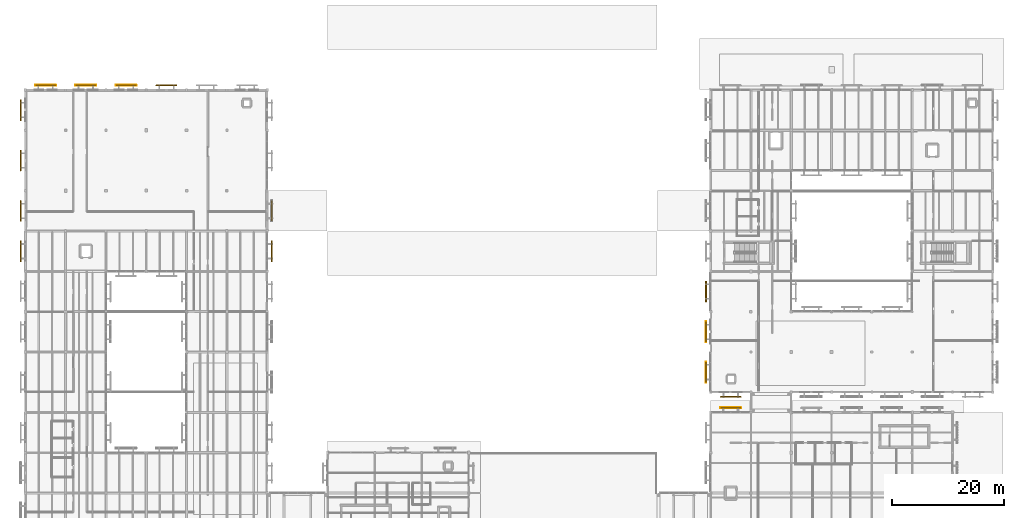
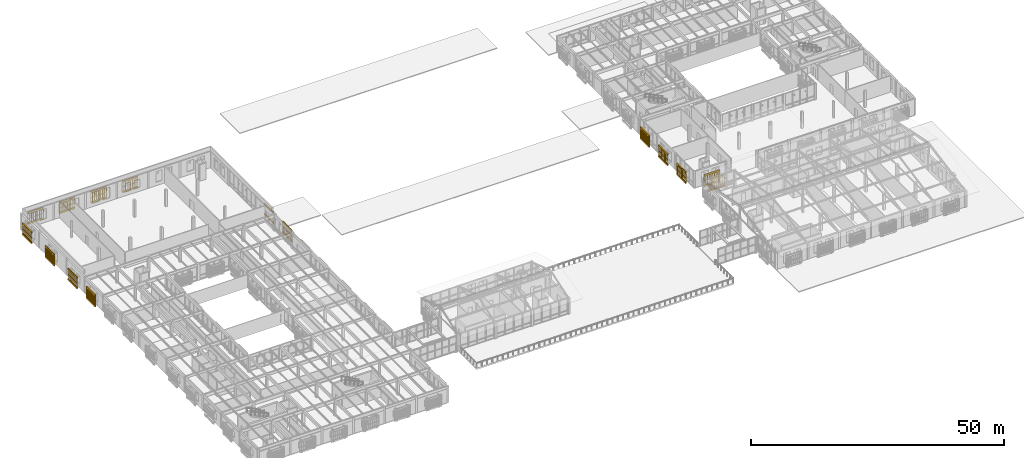
# One storey, part 103 of 112: 30 coverings, 28 railings.
"""IFC4 building model written with IfcOpenShell, lengths in metres."""

from ifc_helpers import new_model, si_unit, direction, frame, origin, origin_2d, place, context, subcontext, project, spatial, polyline, circle, outline, extrude, material, layer, layer_set, type_object, element, save


model = new_model("IFC4")

# Units and contexts
model_context = context("Model", 3, precision=1e-05, world=origin(), true_north=direction((0.0, 1.0)))
body_context = subcontext(model_context, "Body", "Model", "MODEL_VIEW")
ifc_project = project(units=[si_unit("LENGTHUNIT", "METRE"), si_unit("AREAUNIT", "SQUARE_METRE"), si_unit("VOLUMEUNIT", "CUBIC_METRE"), si_unit("PLANEANGLEUNIT", "RADIAN"), si_unit("MASSUNIT", "GRAM", prefix="KILO")], contexts=[model_context])

# Site, building, storey
site_placement = place(None, origin())
site = spatial("IfcSite", under=ifc_project, at=site_placement, CompositionType="ELEMENT")
building_placement = place(site_placement, origin())
building = spatial("IfcBuilding", under=site, at=building_placement, Name="Mazaris Harbour Polytechnic", CompositionType="ELEMENT")
storey_placement = place(building_placement, frame((0.0, 0.0, 13.800048828125)))
storey = spatial("IfcBuildingStorey", under=building, at=storey_placement, Name="L03", CompositionType="ELEMENT", Elevation=13.800048828125)

# Railings
ifc_material_1 = material(Name="Perforated Earth-Coloured Terracotta Block", Category="masonry")
railing_type = type_object("IfcRailingType", Name="Perforated Earth-Block Claustra Lattice 1040", PredefinedType="BALUSTRADE", material=ifc_material_1)
for number, where, name in (
    (1, (124.18505859375, 44.02001953125, 0.52001953125), "V2 L03 Lower Perforated Terracotta Block Screen 95"),
    (2, (124.18505859375, 44.02001953125, 1.60986328125), "V2 L03 Upper Perforated Terracotta Block Screen 95"),
    (3, (1.830078125, 101.6201171875, 0.52001953125), "V4 L03 Lower Perforated Terracotta Block Screen 253"),
    (4, (1.830078125, 101.6201171875, 1.60986328125), "V4 L03 Upper Perforated Terracotta Block Screen 253"),
    (5, (8.9951171875, 101.6201171875, 0.52001953125), "V4 L03 Lower Perforated Terracotta Block Screen 254"),
    (6, (8.9951171875, 101.6201171875, 1.60986328125), "V4 L03 Upper Perforated Terracotta Block Screen 254"),
    (7, (16.215087890625, 101.6201171875, 0.52001953125), "V4 L03 Lower Perforated Terracotta Block Screen 255"),
    (8, (16.215087890625, 101.6201171875, 1.60986328125), "V4 L03 Upper Perforated Terracotta Block Screen 255"),
):
    element("IfcRailing", number, at=place(storey_placement, frame(where)), inside=storey, type_object=railing_type, Name=name, PredefinedType="BALUSTRADE", context=body_context, shape_type="SweptSolid", body=[
        extrude(circle(Radius=0.06982421875, at=origin_2d()), frame((0.0, 0.0, 1.02001953125), z_axis=(1.0, 0.0, 0.0), x_axis=(0.0, 1.0, 0.0)), (0.0, 0.0, 1.0), 3.599853515625),
        extrude(circle(Radius=0.074951171875, at=origin_2d()), origin(), (0.0, 0.0, 1.0), 0.9501953125),
        extrude(circle(Radius=0.074951171875, at=origin_2d()), frame((0.449951171875, 0.0, 0.0)), (0.0, 0.0, 1.0), 0.9501953125),
        extrude(circle(Radius=0.074951171875, at=origin_2d()), frame((0.89990234375, 0.0, 0.0)), (0.0, 0.0, 1.0), 0.9501953125),
        extrude(circle(Radius=0.074951171875, at=origin_2d()), frame((1.349853515625, 0.0, 0.0)), (0.0, 0.0, 1.0), 0.9501953125),
        extrude(circle(Radius=0.074951171875, at=origin_2d()), frame((1.7998046875, 0.0, 0.0)), (0.0, 0.0, 1.0), 0.9501953125),
        extrude(circle(Radius=0.074951171875, at=origin_2d()), frame((2.25, 0.0, 0.0)), (0.0, 0.0, 1.0), 0.9501953125),
        extrude(circle(Radius=0.074951171875, at=origin_2d()), frame((2.699951171875, 0.0, 0.0)), (0.0, 0.0, 1.0), 0.9501953125),
        extrude(circle(Radius=0.074951171875, at=origin_2d()), frame((3.14990234375, 0.0, 0.0)), (0.0, 0.0, 1.0), 0.9501953125),
        extrude(circle(Radius=0.074951171875, at=origin_2d()), frame((3.599853515625, 0.0, 0.0)), (0.0, 0.0, 1.0), 0.9501953125),
    ])
for number, where, name in (
    (9, (23.39501953125, 101.6201171875, 0.52001953125), "V4 L03 Lower Perforated Terracotta Block Screen 256"),
    (10, (23.39501953125, 101.6201171875, 1.60986328125), "V4 L03 Upper Perforated Terracotta Block Screen 256"),
):
    element("IfcRailing", number, at=place(storey_placement, frame(where)), inside=storey, type_object=railing_type, Name=name, PredefinedType="BALUSTRADE", context=body_context, shape_type="SweptSolid", body=[
        extrude(circle(Radius=0.06982421875, at=origin_2d()), frame((0.0, 0.0, 1.02001953125), z_axis=(1.0, 0.0, 0.0), x_axis=(0.0, 1.0, 0.0)), (0.0, 0.0, 1.0), 3.60009765625),
        extrude(circle(Radius=0.074951171875, at=origin_2d()), origin(), (0.0, 0.0, 1.0), 0.9501953125),
        extrude(circle(Radius=0.074951171875, at=origin_2d()), frame((0.39990234375, 0.0, 0.0)), (0.0, 0.0, 1.0), 0.9501953125),
        extrude(circle(Radius=0.074951171875, at=origin_2d()), frame((0.800048828125, 0.0, 0.0)), (0.0, 0.0, 1.0), 0.9501953125),
        extrude(circle(Radius=0.074951171875, at=origin_2d()), frame((1.199951171875, 0.0, 0.0)), (0.0, 0.0, 1.0), 0.9501953125),
        extrude(circle(Radius=0.074951171875, at=origin_2d()), frame((1.60009765625, 0.0, 0.0)), (0.0, 0.0, 1.0), 0.9501953125),
        extrude(circle(Radius=0.074951171875, at=origin_2d()), frame((2.0, 0.0, 0.0)), (0.0, 0.0, 1.0), 0.9501953125),
        extrude(circle(Radius=0.074951171875, at=origin_2d()), frame((2.400146484375, 0.0, 0.0)), (0.0, 0.0, 1.0), 0.9501953125),
        extrude(circle(Radius=0.074951171875, at=origin_2d()), frame((2.800048828125, 0.0, 0.0)), (0.0, 0.0, 1.0), 0.9501953125),
        extrude(circle(Radius=0.074951171875, at=origin_2d()), frame((3.2001953125, 0.0, 0.0)), (0.0, 0.0, 1.0), 0.9501953125),
        extrude(circle(Radius=0.074951171875, at=origin_2d()), frame((3.60009765625, 0.0, 0.0)), (0.0, 0.0, 1.0), 0.9501953125),
    ])
for number, where, name in (
    (11, (-0.820068359375, 70.18994140625, 0.52001953125), "V4 L03 Lower Perforated Terracotta Block Screen 267"),
    (12, (-0.820068359375, 70.18994140625, 1.60986328125), "V4 L03 Upper Perforated Terracotta Block Screen 267"),
    (13, (-0.820068359375, 77.389892578125, 0.52001953125), "V4 L03 Lower Perforated Terracotta Block Screen 268"),
    (14, (-0.820068359375, 77.389892578125, 1.60986328125), "V4 L03 Upper Perforated Terracotta Block Screen 268"),
    (15, (-0.820068359375, 86.389892578125, 0.52001953125), "V4 L03 Lower Perforated Terracotta Block Screen 269"),
    (16, (-0.820068359375, 86.389892578125, 1.60986328125), "V4 L03 Upper Perforated Terracotta Block Screen 269"),
    (17, (-0.820068359375, 95.389892578125, 0.52001953125), "V4 L03 Lower Perforated Terracotta Block Screen 270"),
    (18, (-0.820068359375, 95.389892578125, 1.60986328125), "V4 L03 Upper Perforated Terracotta Block Screen 270"),
):
    element("IfcRailing", number, at=place(storey_placement, frame(where)), inside=storey, type_object=railing_type, Name=name, PredefinedType="BALUSTRADE", context=body_context, shape_type="SweptSolid", body=[
        extrude(circle(Radius=0.06982421875, at=origin_2d()), frame((0.0, 0.0, 1.02001953125), z_axis=(0.0, 1.0, 0.0), x_axis=(-1.0, 0.0, 0.0)), (0.0, 0.0, 1.0), 3.60009765625),
        extrude(circle(Radius=0.074951171875, at=origin_2d()), origin(), (0.0, 0.0, 1.0), 0.9501953125),
        extrude(circle(Radius=0.074951171875, at=origin_2d()), frame((0.0, 0.39990234375, 0.0)), (0.0, 0.0, 1.0), 0.9501953125),
        extrude(circle(Radius=0.074951171875, at=origin_2d()), frame((0.0, 0.800048828125, 0.0)), (0.0, 0.0, 1.0), 0.9501953125),
        extrude(circle(Radius=0.074951171875, at=origin_2d()), frame((0.0, 1.199951171875, 0.0)), (0.0, 0.0, 1.0), 0.9501953125),
        extrude(circle(Radius=0.074951171875, at=origin_2d()), frame((0.0, 1.60009765625, 0.0)), (0.0, 0.0, 1.0), 0.9501953125),
        extrude(circle(Radius=0.074951171875, at=origin_2d()), frame((0.0, 2.0, 0.0)), (0.0, 0.0, 1.0), 0.9501953125),
        extrude(circle(Radius=0.074951171875, at=origin_2d()), frame((0.0, 2.400146484375, 0.0)), (0.0, 0.0, 1.0), 0.9501953125),
        extrude(circle(Radius=0.074951171875, at=origin_2d()), frame((0.0, 2.800048828125, 0.0)), (0.0, 0.0, 1.0), 0.9501953125),
        extrude(circle(Radius=0.074951171875, at=origin_2d()), frame((0.0, 3.2001953125, 0.0)), (0.0, 0.0, 1.0), 0.9501953125),
        extrude(circle(Radius=0.074951171875, at=origin_2d()), frame((0.0, 3.60009765625, 0.0)), (0.0, 0.0, 1.0), 0.9501953125),
    ])
for number, where, name in (
    (19, (44.02001953125, 73.7900390625, 0.52001953125), "V4 L03 Lower Perforated Terracotta Block Screen 278"),
    (20, (44.02001953125, 73.7900390625, 1.60986328125), "V4 L03 Upper Perforated Terracotta Block Screen 278"),
):
    element("IfcRailing", number, at=place(storey_placement, frame(where)), inside=storey, type_object=railing_type, Name=name, PredefinedType="BALUSTRADE", context=body_context, shape_type="SweptSolid", body=[
        extrude(circle(Radius=0.06982421875, at=origin_2d()), frame((0.0, 0.0, 1.02001953125), z_axis=(0.0, -1.0, 0.0), x_axis=(1.0, 0.0, 0.0)), (0.0, 0.0, 1.0), 3.60009765625),
        extrude(circle(Radius=0.074951171875, at=origin_2d()), origin(), (0.0, 0.0, 1.0), 0.9501953125),
        extrude(circle(Radius=0.074951171875, at=origin_2d()), frame((0.0, -0.39990234375, 0.0)), (0.0, 0.0, 1.0), 0.9501953125),
        extrude(circle(Radius=0.074951171875, at=origin_2d()), frame((0.0, -0.800048828125, 0.0)), (0.0, 0.0, 1.0), 0.9501953125),
        extrude(circle(Radius=0.074951171875, at=origin_2d()), frame((0.0, -1.199951171875, 0.0)), (0.0, 0.0, 1.0), 0.9501953125),
        extrude(circle(Radius=0.074951171875, at=origin_2d()), frame((0.0, -1.60009765625, 0.0)), (0.0, 0.0, 1.0), 0.9501953125),
        extrude(circle(Radius=0.074951171875, at=origin_2d()), frame((0.0, -2.0, 0.0)), (0.0, 0.0, 1.0), 0.9501953125),
        extrude(circle(Radius=0.074951171875, at=origin_2d()), frame((0.0, -2.400146484375, 0.0)), (0.0, 0.0, 1.0), 0.9501953125),
        extrude(circle(Radius=0.074951171875, at=origin_2d()), frame((0.0, -2.800048828125, 0.0)), (0.0, 0.0, 1.0), 0.9501953125),
        extrude(circle(Radius=0.074951171875, at=origin_2d()), frame((0.0, -3.2001953125, 0.0)), (0.0, 0.0, 1.0), 0.9501953125),
        extrude(circle(Radius=0.074951171875, at=origin_2d()), frame((0.0, -3.60009765625, 0.0)), (0.0, 0.0, 1.0), 0.9501953125),
    ])
for number, where, name in (
    (21, (127.7900390625, 45.97998046875, 0.52001953125), "V5 L03 Lower Perforated Terracotta Block Screen 446"),
    (22, (127.7900390625, 45.97998046875, 1.60986328125), "V5 L03 Upper Perforated Terracotta Block Screen 446"),
):
    element("IfcRailing", number, at=place(storey_placement, frame(where)), inside=storey, type_object=railing_type, Name=name, PredefinedType="BALUSTRADE", context=body_context, shape_type="SweptSolid", body=[
        extrude(circle(Radius=0.06982421875, at=origin_2d()), frame((0.0, 0.0, 1.02001953125), z_axis=(-1.0, 0.0, 0.0), x_axis=(0.0, -1.0, 0.0)), (0.0, 0.0, 1.0), 3.60009765625),
        extrude(circle(Radius=0.074951171875, at=origin_2d()), origin(), (0.0, 0.0, 1.0), 0.9501953125),
        extrude(circle(Radius=0.074951171875, at=origin_2d()), frame((-0.39990234375, 0.0, 0.0)), (0.0, 0.0, 1.0), 0.9501953125),
        extrude(circle(Radius=0.074951171875, at=origin_2d()), frame((-0.800048828125, 0.0, 0.0)), (0.0, 0.0, 1.0), 0.9501953125),
        extrude(circle(Radius=0.074951171875, at=origin_2d()), frame((-1.199951171875, 0.0, 0.0)), (0.0, 0.0, 1.0), 0.9501953125),
        extrude(circle(Radius=0.074951171875, at=origin_2d()), frame((-1.60009765625, 0.0, 0.0)), (0.0, 0.0, 1.0), 0.9501953125),
        extrude(circle(Radius=0.074951171875, at=origin_2d()), frame((-2.0, 0.0, 0.0)), (0.0, 0.0, 1.0), 0.9501953125),
        extrude(circle(Radius=0.074951171875, at=origin_2d()), frame((-2.400146484375, 0.0, 0.0)), (0.0, 0.0, 1.0), 0.9501953125),
        extrude(circle(Radius=0.074951171875, at=origin_2d()), frame((-2.800048828125, 0.0, 0.0)), (0.0, 0.0, 1.0), 0.9501953125),
        extrude(circle(Radius=0.074951171875, at=origin_2d()), frame((-3.2001953125, 0.0, 0.0)), (0.0, 0.0, 1.0), 0.9501953125),
        extrude(circle(Radius=0.074951171875, at=origin_2d()), frame((-3.60009765625, 0.0, 0.0)), (0.0, 0.0, 1.0), 0.9501953125),
    ])
for number, where, name in (
    (23, (121.580078125, 48.590087890625, 0.52001953125), "V5 L03 Lower Perforated Terracotta Block Screen 459"),
    (24, (121.580078125, 48.590087890625, 1.60986328125), "V5 L03 Upper Perforated Terracotta Block Screen 459"),
    (25, (121.580078125, 55.7900390625, 0.52001953125), "V5 L03 Lower Perforated Terracotta Block Screen 460"),
    (26, (121.580078125, 55.7900390625, 1.60986328125), "V5 L03 Upper Perforated Terracotta Block Screen 460"),
):
    element("IfcRailing", number, at=place(storey_placement, frame(where)), inside=storey, type_object=railing_type, Name=name, PredefinedType="BALUSTRADE", context=body_context, shape_type="SweptSolid", body=[
        extrude(circle(Radius=0.06982421875, at=origin_2d()), frame((0.0, 0.0, 1.02001953125), z_axis=(0.0, 1.0, 0.0), x_axis=(-1.0, 0.0, 0.0)), (0.0, 0.0, 1.0), 3.599853515625),
        extrude(circle(Radius=0.074951171875, at=origin_2d()), origin(), (0.0, 0.0, 1.0), 0.9501953125),
        extrude(circle(Radius=0.074951171875, at=origin_2d()), frame((0.0, 0.449951171875, 0.0)), (0.0, 0.0, 1.0), 0.9501953125),
        extrude(circle(Radius=0.074951171875, at=origin_2d()), frame((0.0, 0.89990234375, 0.0)), (0.0, 0.0, 1.0), 0.9501953125),
        extrude(circle(Radius=0.074951171875, at=origin_2d()), frame((0.0, 1.349853515625, 0.0)), (0.0, 0.0, 1.0), 0.9501953125),
        extrude(circle(Radius=0.074951171875, at=origin_2d()), frame((0.0, 1.7998046875, 0.0)), (0.0, 0.0, 1.0), 0.9501953125),
        extrude(circle(Radius=0.074951171875, at=origin_2d()), frame((0.0, 2.25, 0.0)), (0.0, 0.0, 1.0), 0.9501953125),
        extrude(circle(Radius=0.074951171875, at=origin_2d()), frame((0.0, 2.699951171875, 0.0)), (0.0, 0.0, 1.0), 0.9501953125),
        extrude(circle(Radius=0.074951171875, at=origin_2d()), frame((0.0, 3.14990234375, 0.0)), (0.0, 0.0, 1.0), 0.9501953125),
        extrude(circle(Radius=0.074951171875, at=origin_2d()), frame((0.0, 3.599853515625, 0.0)), (0.0, 0.0, 1.0), 0.9501953125),
    ])
for number, where, name in (
    (27, (121.580078125, 62.989990234375, 0.52001953125), "V5 L03 Lower Perforated Terracotta Block Screen 461"),
    (28, (121.580078125, 62.989990234375, 1.60986328125), "V5 L03 Upper Perforated Terracotta Block Screen 461"),
):
    element("IfcRailing", number, at=place(storey_placement, frame(where)), inside=storey, type_object=railing_type, Name=name, PredefinedType="BALUSTRADE", context=body_context, shape_type="SweptSolid", body=[
        extrude(circle(Radius=0.06982421875, at=origin_2d()), frame((0.0, 0.0, 1.02001953125), z_axis=(0.0, 1.0, 0.0), x_axis=(-1.0, 0.0, 0.0)), (0.0, 0.0, 1.0), 3.60009765625),
        extrude(circle(Radius=0.074951171875, at=origin_2d()), origin(), (0.0, 0.0, 1.0), 0.9501953125),
        extrude(circle(Radius=0.074951171875, at=origin_2d()), frame((0.0, 0.39990234375, 0.0)), (0.0, 0.0, 1.0), 0.9501953125),
        extrude(circle(Radius=0.074951171875, at=origin_2d()), frame((0.0, 0.800048828125, 0.0)), (0.0, 0.0, 1.0), 0.9501953125),
        extrude(circle(Radius=0.074951171875, at=origin_2d()), frame((0.0, 1.199951171875, 0.0)), (0.0, 0.0, 1.0), 0.9501953125),
        extrude(circle(Radius=0.074951171875, at=origin_2d()), frame((0.0, 1.60009765625, 0.0)), (0.0, 0.0, 1.0), 0.9501953125),
        extrude(circle(Radius=0.074951171875, at=origin_2d()), frame((0.0, 2.0, 0.0)), (0.0, 0.0, 1.0), 0.9501953125),
        extrude(circle(Radius=0.074951171875, at=origin_2d()), frame((0.0, 2.400146484375, 0.0)), (0.0, 0.0, 1.0), 0.9501953125),
        extrude(circle(Radius=0.074951171875, at=origin_2d()), frame((0.0, 2.800048828125, 0.0)), (0.0, 0.0, 1.0), 0.9501953125),
        extrude(circle(Radius=0.074951171875, at=origin_2d()), frame((0.0, 3.2001953125, 0.0)), (0.0, 0.0, 1.0), 0.9501953125),
        extrude(circle(Radius=0.074951171875, at=origin_2d()), frame((0.0, 3.60009765625, 0.0)), (0.0, 0.0, 1.0), 0.9501953125),
    ])

# Coverings
ifc_material_2 = material(Name="Perforated Earth-Coloured Terracotta Block", Category="masonry")
ifc_layer = layer(ifc_material_2, 0.219970703125, Name="Perforated Earth-Coloured Terracotta Block")
ifc_layer_set = layer_set([ifc_layer], Name="Perforated Earth-Coloured Terracotta Block")
covering_type = type_object("IfcCoveringType", Name="Terracotta Screen Course Cladding 220", PredefinedType="CLADDING", material=ifc_layer_set)
covering_1_placement = place(storey_placement, frame((0.0, 0.0, 0.159912109375)))
element("IfcCovering", 29, at=covering_1_placement, inside=storey, type_object=covering_type, Name="V2 L03 Perforated Screen Sill Course 95", PredefinedType="CLADDING", context=body_context, shape_type="SweptSolid", body=[
    extrude(outline(polyline([(124.18505859375, 43.909912109375), (127.784912109375, 43.909912109375), (127.784912109375, 44.1298828125), (124.18505859375, 44.1298828125), (124.18505859375, 43.909912109375)])), origin(), (0.0, 0.0, 1.0), 0.360107421875),
])
covering_2_placement = place(storey_placement, frame((0.0, 0.0, 2.699951171875)))
element("IfcCovering", 30, at=covering_2_placement, inside=storey, type_object=covering_type, Name="V2 L03 Perforated Screen Lintel Course 95", PredefinedType="CLADDING", context=body_context, shape_type="SweptSolid", body=[
    extrude(outline(polyline([(124.18505859375, 43.909912109375), (127.784912109375, 43.909912109375), (127.784912109375, 44.1298828125), (124.18505859375, 44.1298828125), (124.18505859375, 43.909912109375)])), origin(), (0.0, 0.0, 1.0), 0.340087890625),
])
covering_3_placement = place(storey_placement, frame((0.0, 0.0, 0.159912109375)))
element("IfcCovering", 31, at=covering_3_placement, inside=storey, type_object=covering_type, Name="V4 L03 Perforated Screen Sill Course 253", PredefinedType="CLADDING", context=body_context, shape_type="SweptSolid", body=[
    extrude(outline(polyline([(1.830078125, 101.510009765625), (5.429931640625, 101.510009765625), (5.429931640625, 101.72998046875), (1.830078125, 101.72998046875), (1.830078125, 101.510009765625)])), origin(), (0.0, 0.0, 1.0), 0.360107421875),
])
covering_4_placement = place(storey_placement, frame((0.0, 0.0, 2.699951171875)))
element("IfcCovering", 32, at=covering_4_placement, inside=storey, type_object=covering_type, Name="V4 L03 Perforated Screen Lintel Course 253", PredefinedType="CLADDING", context=body_context, shape_type="SweptSolid", body=[
    extrude(outline(polyline([(1.830078125, 101.510009765625), (5.429931640625, 101.510009765625), (5.429931640625, 101.72998046875), (1.830078125, 101.72998046875), (1.830078125, 101.510009765625)])), origin(), (0.0, 0.0, 1.0), 0.340087890625),
])
covering_5_placement = place(storey_placement, frame((0.0, 0.0, 0.159912109375)))
element("IfcCovering", 33, at=covering_5_placement, inside=storey, type_object=covering_type, Name="V4 L03 Perforated Screen Sill Course 254", PredefinedType="CLADDING", context=body_context, shape_type="SweptSolid", body=[
    extrude(outline(polyline([(8.9951171875, 101.510009765625), (12.594970703125, 101.510009765625), (12.594970703125, 101.72998046875), (8.9951171875, 101.72998046875), (8.9951171875, 101.510009765625)])), origin(), (0.0, 0.0, 1.0), 0.360107421875),
])
covering_6_placement = place(storey_placement, frame((0.0, 0.0, 2.699951171875)))
element("IfcCovering", 34, at=covering_6_placement, inside=storey, type_object=covering_type, Name="V4 L03 Perforated Screen Lintel Course 254", PredefinedType="CLADDING", context=body_context, shape_type="SweptSolid", body=[
    extrude(outline(polyline([(8.9951171875, 101.510009765625), (12.594970703125, 101.510009765625), (12.594970703125, 101.72998046875), (8.9951171875, 101.72998046875), (8.9951171875, 101.510009765625)])), origin(), (0.0, 0.0, 1.0), 0.340087890625),
])
covering_7_placement = place(storey_placement, frame((0.0, 0.0, 0.159912109375)))
element("IfcCovering", 35, at=covering_7_placement, inside=storey, type_object=covering_type, Name="V4 L03 Perforated Screen Sill Course 255", PredefinedType="CLADDING", context=body_context, shape_type="SweptSolid", body=[
    extrude(outline(polyline([(16.215087890625, 101.510009765625), (19.81494140625, 101.510009765625), (19.81494140625, 101.72998046875), (16.215087890625, 101.72998046875), (16.215087890625, 101.510009765625)])), origin(), (0.0, 0.0, 1.0), 0.360107421875),
])
covering_8_placement = place(storey_placement, frame((0.0, 0.0, 2.699951171875)))
element("IfcCovering", 36, at=covering_8_placement, inside=storey, type_object=covering_type, Name="V4 L03 Perforated Screen Lintel Course 255", PredefinedType="CLADDING", context=body_context, shape_type="SweptSolid", body=[
    extrude(outline(polyline([(16.215087890625, 101.510009765625), (19.81494140625, 101.510009765625), (19.81494140625, 101.72998046875), (16.215087890625, 101.72998046875), (16.215087890625, 101.510009765625)])), origin(), (0.0, 0.0, 1.0), 0.340087890625),
])
covering_9_placement = place(storey_placement, frame((0.0, 0.0, 0.159912109375)))
element("IfcCovering", 37, at=covering_9_placement, inside=storey, type_object=covering_type, Name="V4 L03 Perforated Screen Sill Course 256", PredefinedType="CLADDING", context=body_context, shape_type="SweptSolid", body=[
    extrude(outline(polyline([(23.39501953125, 101.510009765625), (26.9951171875, 101.510009765625), (26.9951171875, 101.72998046875), (23.39501953125, 101.72998046875), (23.39501953125, 101.510009765625)])), origin(), (0.0, 0.0, 1.0), 0.360107421875),
])
covering_10_placement = place(storey_placement, frame((0.0, 0.0, 2.699951171875)))
element("IfcCovering", 38, at=covering_10_placement, inside=storey, type_object=covering_type, Name="V4 L03 Perforated Screen Lintel Course 256", PredefinedType="CLADDING", context=body_context, shape_type="SweptSolid", body=[
    extrude(outline(polyline([(23.39501953125, 101.510009765625), (26.9951171875, 101.510009765625), (26.9951171875, 101.72998046875), (23.39501953125, 101.72998046875), (23.39501953125, 101.510009765625)])), origin(), (0.0, 0.0, 1.0), 0.340087890625),
])
covering_11_placement = place(storey_placement, frame((0.0, 0.0, 0.159912109375)))
element("IfcCovering", 39, at=covering_11_placement, inside=storey, type_object=covering_type, Name="V4 L03 Perforated Screen Sill Course 267", PredefinedType="CLADDING", context=body_context, shape_type="SweptSolid", body=[
    extrude(outline(polyline([(-0.7099609375, 70.18994140625), (-0.7099609375, 73.7900390625), (-0.929931640625, 73.7900390625), (-0.929931640625, 70.18994140625), (-0.7099609375, 70.18994140625)])), origin(), (0.0, 0.0, 1.0), 0.360107421875),
])
covering_12_placement = place(storey_placement, frame((0.0, 0.0, 2.699951171875)))
element("IfcCovering", 40, at=covering_12_placement, inside=storey, type_object=covering_type, Name="V4 L03 Perforated Screen Lintel Course 267", PredefinedType="CLADDING", context=body_context, shape_type="SweptSolid", body=[
    extrude(outline(polyline([(-0.7099609375, 70.18994140625), (-0.7099609375, 73.7900390625), (-0.929931640625, 73.7900390625), (-0.929931640625, 70.18994140625), (-0.7099609375, 70.18994140625)])), origin(), (0.0, 0.0, 1.0), 0.340087890625),
])
covering_13_placement = place(storey_placement, frame((0.0, 0.0, 0.159912109375)))
element("IfcCovering", 41, at=covering_13_placement, inside=storey, type_object=covering_type, Name="V4 L03 Perforated Screen Sill Course 268", PredefinedType="CLADDING", context=body_context, shape_type="SweptSolid", body=[
    extrude(outline(polyline([(-0.7099609375, 77.389892578125), (-0.7099609375, 80.989990234375), (-0.929931640625, 80.989990234375), (-0.929931640625, 77.389892578125), (-0.7099609375, 77.389892578125)])), origin(), (0.0, 0.0, 1.0), 0.360107421875),
])
covering_14_placement = place(storey_placement, frame((0.0, 0.0, 2.699951171875)))
element("IfcCovering", 42, at=covering_14_placement, inside=storey, type_object=covering_type, Name="V4 L03 Perforated Screen Lintel Course 268", PredefinedType="CLADDING", context=body_context, shape_type="SweptSolid", body=[
    extrude(outline(polyline([(-0.7099609375, 77.389892578125), (-0.7099609375, 80.989990234375), (-0.929931640625, 80.989990234375), (-0.929931640625, 77.389892578125), (-0.7099609375, 77.389892578125)])), origin(), (0.0, 0.0, 1.0), 0.340087890625),
])
covering_15_placement = place(storey_placement, frame((0.0, 0.0, 0.159912109375)))
element("IfcCovering", 43, at=covering_15_placement, inside=storey, type_object=covering_type, Name="V4 L03 Perforated Screen Sill Course 269", PredefinedType="CLADDING", context=body_context, shape_type="SweptSolid", body=[
    extrude(outline(polyline([(-0.7099609375, 86.389892578125), (-0.7099609375, 89.989990234375), (-0.929931640625, 89.989990234375), (-0.929931640625, 86.389892578125), (-0.7099609375, 86.389892578125)])), origin(), (0.0, 0.0, 1.0), 0.360107421875),
])
covering_16_placement = place(storey_placement, frame((0.0, 0.0, 2.699951171875)))
element("IfcCovering", 44, at=covering_16_placement, inside=storey, type_object=covering_type, Name="V4 L03 Perforated Screen Lintel Course 269", PredefinedType="CLADDING", context=body_context, shape_type="SweptSolid", body=[
    extrude(outline(polyline([(-0.7099609375, 86.389892578125), (-0.7099609375, 89.989990234375), (-0.929931640625, 89.989990234375), (-0.929931640625, 86.389892578125), (-0.7099609375, 86.389892578125)])), origin(), (0.0, 0.0, 1.0), 0.340087890625),
])
covering_17_placement = place(storey_placement, frame((0.0, 0.0, 0.159912109375)))
element("IfcCovering", 45, at=covering_17_placement, inside=storey, type_object=covering_type, Name="V4 L03 Perforated Screen Sill Course 270", PredefinedType="CLADDING", context=body_context, shape_type="SweptSolid", body=[
    extrude(outline(polyline([(-0.7099609375, 95.389892578125), (-0.7099609375, 98.989990234375), (-0.929931640625, 98.989990234375), (-0.929931640625, 95.389892578125), (-0.7099609375, 95.389892578125)])), origin(), (0.0, 0.0, 1.0), 0.360107421875),
])
covering_18_placement = place(storey_placement, frame((0.0, 0.0, 2.699951171875)))
element("IfcCovering", 46, at=covering_18_placement, inside=storey, type_object=covering_type, Name="V4 L03 Perforated Screen Lintel Course 270", PredefinedType="CLADDING", context=body_context, shape_type="SweptSolid", body=[
    extrude(outline(polyline([(-0.7099609375, 95.389892578125), (-0.7099609375, 98.989990234375), (-0.929931640625, 98.989990234375), (-0.929931640625, 95.389892578125), (-0.7099609375, 95.389892578125)])), origin(), (0.0, 0.0, 1.0), 0.340087890625),
])
covering_19_placement = place(storey_placement, frame((0.0, 0.0, 0.159912109375)))
element("IfcCovering", 47, at=covering_19_placement, inside=storey, type_object=covering_type, Name="V4 L03 Perforated Screen Sill Course 278", PredefinedType="CLADDING", context=body_context, shape_type="SweptSolid", body=[
    extrude(outline(polyline([(43.909912109375, 73.7900390625), (43.909912109375, 70.18994140625), (44.1298828125, 70.18994140625), (44.1298828125, 73.7900390625), (43.909912109375, 73.7900390625)])), origin(), (0.0, 0.0, 1.0), 0.360107421875),
])
covering_20_placement = place(storey_placement, frame((0.0, 0.0, 2.699951171875)))
element("IfcCovering", 48, at=covering_20_placement, inside=storey, type_object=covering_type, Name="V4 L03 Perforated Screen Lintel Course 278", PredefinedType="CLADDING", context=body_context, shape_type="SweptSolid", body=[
    extrude(outline(polyline([(43.909912109375, 73.7900390625), (43.909912109375, 70.18994140625), (44.1298828125, 70.18994140625), (44.1298828125, 73.7900390625), (43.909912109375, 73.7900390625)])), origin(), (0.0, 0.0, 1.0), 0.340087890625),
])
covering_21_placement = place(storey_placement, frame((0.0, 0.0, 0.159912109375)))
element("IfcCovering", 49, at=covering_21_placement, inside=storey, type_object=covering_type, Name="V4 L03 Perforated Screen Sill Course 279", PredefinedType="CLADDING", context=body_context, shape_type="SweptSolid", body=[
    extrude(outline(polyline([(43.909912109375, 81.0048828125), (43.909912109375, 77.405029296875), (44.1298828125, 77.405029296875), (44.1298828125, 81.0048828125), (43.909912109375, 81.0048828125)])), origin(), (0.0, 0.0, 1.0), 0.360107421875),
])
covering_22_placement = place(storey_placement, frame((0.0, 0.0, 2.699951171875)))
element("IfcCovering", 50, at=covering_22_placement, inside=storey, type_object=covering_type, Name="V4 L03 Perforated Screen Lintel Course 279", PredefinedType="CLADDING", context=body_context, shape_type="SweptSolid", body=[
    extrude(outline(polyline([(43.909912109375, 81.0048828125), (43.909912109375, 77.405029296875), (44.1298828125, 77.405029296875), (44.1298828125, 81.0048828125), (43.909912109375, 81.0048828125)])), origin(), (0.0, 0.0, 1.0), 0.340087890625),
])
covering_23_placement = place(storey_placement, frame((0.0, 0.0, 0.159912109375)))
element("IfcCovering", 51, at=covering_23_placement, inside=storey, type_object=covering_type, Name="V5 L03 Perforated Screen Sill Course 446", PredefinedType="CLADDING", context=body_context, shape_type="SweptSolid", body=[
    extrude(outline(polyline([(127.7900390625, 46.090087890625), (124.18994140625, 46.090087890625), (124.18994140625, 45.8701171875), (127.7900390625, 45.8701171875), (127.7900390625, 46.090087890625)])), origin(), (0.0, 0.0, 1.0), 0.360107421875),
])
covering_24_placement = place(storey_placement, frame((0.0, 0.0, 2.699951171875)))
element("IfcCovering", 52, at=covering_24_placement, inside=storey, type_object=covering_type, Name="V5 L03 Perforated Screen Lintel Course 446", PredefinedType="CLADDING", context=body_context, shape_type="SweptSolid", body=[
    extrude(outline(polyline([(127.7900390625, 46.090087890625), (124.18994140625, 46.090087890625), (124.18994140625, 45.8701171875), (127.7900390625, 45.8701171875), (127.7900390625, 46.090087890625)])), origin(), (0.0, 0.0, 1.0), 0.340087890625),
])
covering_25_placement = place(storey_placement, frame((0.0, 0.0, 0.159912109375)))
element("IfcCovering", 53, at=covering_25_placement, inside=storey, type_object=covering_type, Name="V5 L03 Perforated Screen Sill Course 459", PredefinedType="CLADDING", context=body_context, shape_type="SweptSolid", body=[
    extrude(outline(polyline([(121.68994140625, 48.590087890625), (121.68994140625, 52.18994140625), (121.469970703125, 52.18994140625), (121.469970703125, 48.590087890625), (121.68994140625, 48.590087890625)])), origin(), (0.0, 0.0, 1.0), 0.360107421875),
])
covering_26_placement = place(storey_placement, frame((0.0, 0.0, 2.699951171875)))
element("IfcCovering", 54, at=covering_26_placement, inside=storey, type_object=covering_type, Name="V5 L03 Perforated Screen Lintel Course 459", PredefinedType="CLADDING", context=body_context, shape_type="SweptSolid", body=[
    extrude(outline(polyline([(121.68994140625, 48.590087890625), (121.68994140625, 52.18994140625), (121.469970703125, 52.18994140625), (121.469970703125, 48.590087890625), (121.68994140625, 48.590087890625)])), origin(), (0.0, 0.0, 1.0), 0.340087890625),
])
covering_27_placement = place(storey_placement, frame((0.0, 0.0, 0.159912109375)))
element("IfcCovering", 55, at=covering_27_placement, inside=storey, type_object=covering_type, Name="V5 L03 Perforated Screen Sill Course 460", PredefinedType="CLADDING", context=body_context, shape_type="SweptSolid", body=[
    extrude(outline(polyline([(121.68994140625, 55.7900390625), (121.68994140625, 59.389892578125), (121.469970703125, 59.389892578125), (121.469970703125, 55.7900390625), (121.68994140625, 55.7900390625)])), origin(), (0.0, 0.0, 1.0), 0.360107421875),
])
covering_28_placement = place(storey_placement, frame((0.0, 0.0, 2.699951171875)))
element("IfcCovering", 56, at=covering_28_placement, inside=storey, type_object=covering_type, Name="V5 L03 Perforated Screen Lintel Course 460", PredefinedType="CLADDING", context=body_context, shape_type="SweptSolid", body=[
    extrude(outline(polyline([(121.68994140625, 55.7900390625), (121.68994140625, 59.389892578125), (121.469970703125, 59.389892578125), (121.469970703125, 55.7900390625), (121.68994140625, 55.7900390625)])), origin(), (0.0, 0.0, 1.0), 0.340087890625),
])
covering_29_placement = place(storey_placement, frame((0.0, 0.0, 0.159912109375)))
element("IfcCovering", 57, at=covering_29_placement, inside=storey, type_object=covering_type, Name="V5 L03 Perforated Screen Sill Course 461", PredefinedType="CLADDING", context=body_context, shape_type="SweptSolid", body=[
    extrude(outline(polyline([(121.68994140625, 62.989990234375), (121.68994140625, 66.590087890625), (121.469970703125, 66.590087890625), (121.469970703125, 62.989990234375), (121.68994140625, 62.989990234375)])), origin(), (0.0, 0.0, 1.0), 0.360107421875),
])
covering_30_placement = place(storey_placement, frame((0.0, 0.0, 2.699951171875)))
element("IfcCovering", 58, at=covering_30_placement, inside=storey, type_object=covering_type, Name="V5 L03 Perforated Screen Lintel Course 461", PredefinedType="CLADDING", context=body_context, shape_type="SweptSolid", body=[
    extrude(outline(polyline([(121.68994140625, 62.989990234375), (121.68994140625, 66.590087890625), (121.469970703125, 66.590087890625), (121.469970703125, 62.989990234375), (121.68994140625, 62.989990234375)])), origin(), (0.0, 0.0, 1.0), 0.340087890625),
])

save(model, "model.ifc")
